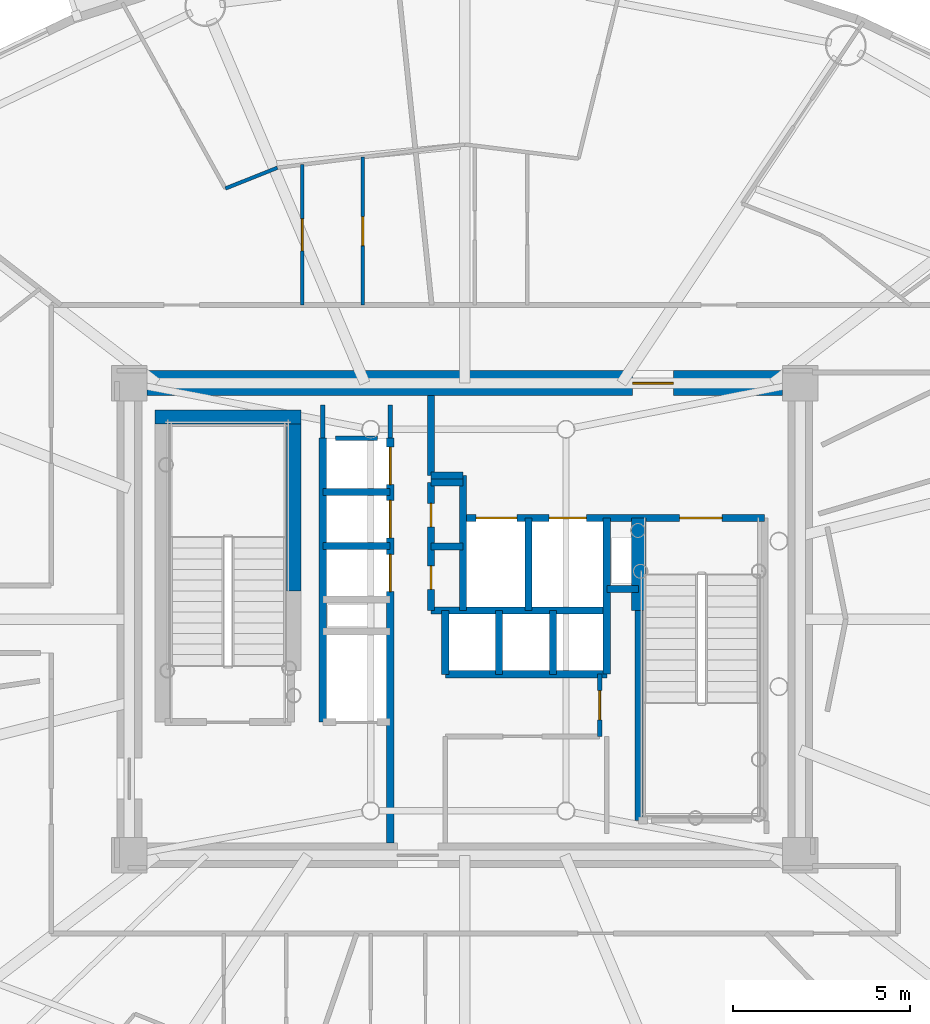
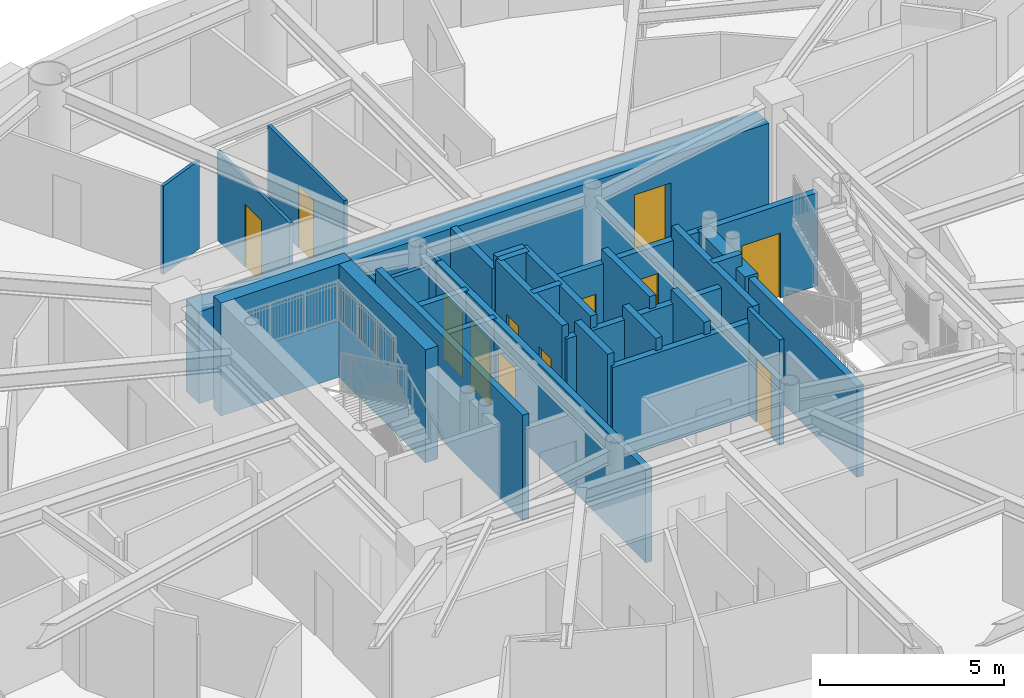
# One storey, part 8 of 18: 31 walls, 12 doors, 12 openings.
"""IFC4 building model written with IfcOpenShell, lengths in metres."""

from ifc_helpers import new_model, si_unit, direction, frame, frame_2d, origin, origin_2d, place, context, subcontext, project, spatial, rectangle, extrude, source, transform, mapped, material, layer, layer_set, type_object, element, fill, save


model = new_model("IFC4")

# Units and contexts
model_context = context("Model", 3, precision=1e-05, world=origin(), true_north=direction((0.0, 1.0)))
body_context = subcontext(model_context, "Body", "Model", "MODEL_VIEW")
ifc_project = project(units=[si_unit("LENGTHUNIT", "METRE"), si_unit("AREAUNIT", "SQUARE_METRE"), si_unit("VOLUMEUNIT", "CUBIC_METRE"), si_unit("PLANEANGLEUNIT", "RADIAN"), si_unit("MASSUNIT", "GRAM", prefix="KILO")], contexts=[model_context])

# Site, building, storey
site_placement = place(None, origin())
site = spatial("IfcSite", under=ifc_project, at=site_placement, CompositionType="ELEMENT")
building_placement = place(site_placement, origin())
building = spatial("IfcBuilding", under=site, at=building_placement, Name="Linh Dai School and Residence Tower", CompositionType="ELEMENT")
storey_placement = place(building_placement, frame((0.0, 0.0, 240.300048828125)))
storey = spatial("IfcBuildingStorey", under=building, at=storey_placement, Name="L59", CompositionType="ELEMENT", Elevation=240.300048828125)

# Wall, opening, door
ifc_material_1 = material(Name="Autoclaved Aerated Concrete Blockwork", Category="masonry")
ifc_layer_1 = layer(ifc_material_1, 0.135009765625)
ifc_layer_set_1 = layer_set([ifc_layer_1], Name="Autoclaved Aerated Concrete Blockwork")
wall_type_1 = type_object("IfcWallType", Name="IW-CORR-135-EI90", PredefinedType="PARTITIONING", material=ifc_layer_set_1)
wall_1_placement = place(storey_placement, frame((39.800048828125, 23.699951171875, 0.0), z_axis=(0.0, 0.0, 1.0), x_axis=(0.0, 1.0, 0.0)))
wall_1 = element("IfcWall", 1, at=wall_1_placement, inside=storey, type_object=wall_type_1, Name="L59 Interior Partition Wall 067", PredefinedType="PARTITIONING", context=body_context, shape_type="SweptSolid", body=[
    extrude(rectangle(XDim=1.75, YDim=0.135009765625, at=frame_2d((0.875, 0.0))), origin(), (0.0, 0.0, 1.0), 3.5),
])
opening_1_placement = place(wall_1_placement, frame((0.465087890625, 0.0, 0.0)))
opening_1 = element("IfcOpeningElement", 2, at=opening_1_placement, cuts=wall_1, Name="Opening D06", PredefinedType="OPENING", context=body_context, shape_type="SweptSolid", body=[
    extrude(rectangle(XDim=0.820068359375, YDim=2.10009765625, at=origin_2d()), frame((0.41015625, 0.07763671875, 1.050048828125), z_axis=(0.0, -1.0, 0.0), x_axis=(1.0, 0.0, 0.0)), (0.0, 0.0, 1.0), 0.155029296875),
])
ifc_material_2 = material(Name="Moisture-Resistant Timber Bathroom Door", Category="wood")
door_type_1 = type_object("IfcDoorType", Name="DR-WET-820x2100", OperationType="NOTDEFINED", PredefinedType="DOOR", material=ifc_material_2)
shared_shape_1 = source(origin(), body_context, "Body", "SweptSolid", [
    extrude(rectangle(XDim=0.820068359375, YDim=2.10009765625, at=origin_2d()), frame((0.41015625, 0.02490234375, 1.050048828125), z_axis=(0.0, -1.0, 0.0), x_axis=(1.0, 0.0, 0.0)), (0.0, 0.0, 1.0), 0.050048828125),
])
door_1_placement = place(opening_1_placement, origin())
door_1 = element("IfcDoor", 3, at=door_1_placement, inside=storey, type_object=door_type_1, Name="L59 Core Housekeeping Store Door", OperationType="SINGLE_SWING_LEFT", OverallHeight=2.10009765625, OverallWidth=0.820068359375, PredefinedType="DOOR", context=body_context, shape_type="MappedRepresentation", body=[
    mapped(shared_shape_1, transform((0.0, 0.0, 0.0), x_axis=(1.0, 0.0, 0.0), y_axis=(0.0, 1.0, 0.0), z_axis=(0.0, 0.0, 1.0), scale=1.0)),
])
fill(opening_1, door_1)

# Walls
wall_2_placement = place(storey_placement, frame((32.360107421875, 32.10009765625, 0.0), z_axis=(0.0, 0.0, 1.0), x_axis=(1.0, 0.0, 0.0)))
element("IfcWall", 4, at=wall_2_placement, inside=storey, type_object=wall_type_1, Name="L59 Interior Partition Wall 098", PredefinedType="PARTITIONING", context=body_context, shape_type="SweptSolid", body=[
    extrude(rectangle(XDim=1.179931640625, YDim=0.135009765625, at=frame_2d((0.58984375, 0.0))), origin(), (0.0, 0.0, 1.0), 3.0849609375),
])
wall_3_placement = place(storey_placement, frame((32.0, 33.0400390625, 0.0), z_axis=(0.0, 0.0, 1.0), x_axis=(0.0, -1.0, 0.0)))
element("IfcWall", 5, at=wall_3_placement, inside=storey, type_object=wall_type_1, Name="L59 Interior Partition Wall 100", PredefinedType="PARTITIONING", context=body_context, shape_type="SweptSolid", body=[
    extrude(rectangle(XDim=0.929931640625, YDim=0.135009765625, at=frame_2d((0.46484375, 0.0))), origin(), (0.0, 0.0, 1.0), 3.034912109375),
])
wall_4_placement = place(storey_placement, frame((33.89990234375, 32.110107421875, 0.0), z_axis=(0.0, 0.0, 1.0), x_axis=(0.0, 1.0, 0.0)))
element("IfcWall", 6, at=wall_4_placement, inside=storey, type_object=wall_type_1, Name="L59 Interior Partition Wall 102", PredefinedType="PARTITIONING", context=body_context, shape_type="SweptSolid", body=[
    extrude(rectangle(XDim=0.929931640625, YDim=0.135009765625, at=frame_2d((0.46484375, 0.0))), origin(), (0.0, 0.0, 1.0), 3.0849609375),
])
ifc_material_3 = material(Name="Concrete B45 (C35/45)", Category="concrete")
ifc_layer_2 = layer(ifc_material_3, 0.199951171875)
ifc_layer_set_2 = layer_set([ifc_layer_2], Name="Concrete B45 (C35/45)")
wall_type_2 = type_object("IfcWallType", Name="IW-SHAFT-200-EI120", PredefinedType="PARTITIONING", material=ifc_layer_set_2)
wall_5_placement = place(storey_placement, frame((32.0, 24.10009765625, 0.0), z_axis=(0.0, 0.0, 1.0), x_axis=(0.0, 1.0, 0.0)))
element("IfcWall", 7, at=wall_5_placement, inside=storey, type_object=wall_type_2, Name="L59 Interior Partition Wall 035", PredefinedType="PARTITIONING", context=body_context, shape_type="SweptSolid", body=[
    extrude(rectangle(XDim=8.0, YDim=0.199951171875, at=frame_2d((4.0, 0.0))), origin(), (0.0, 0.0, 1.0), 3.5),
])
for number, where, z_axis, x_axis, name in (
    (8, (32.0, 29.06005859375, 0.0), (0.0, 0.0, 1.0), (1.0, 0.0, 0.0), "L59 Interior Partition Wall 039"),
    (9, (32.0, 30.580078125, 0.0), (0.0, 0.0, 1.0), (1.0, 0.0, 0.0), "L59 Interior Partition Wall 040"),
):
    element("IfcWall", number, at=place(storey_placement, frame(where, z_axis=z_axis, x_axis=x_axis)), inside=storey, type_object=wall_type_2, Name=name, PredefinedType="PARTITIONING", context=body_context, shape_type="SweptSolid", body=[
        extrude(rectangle(XDim=1.89990234375, YDim=0.199951171875, at=frame_2d((0.949951171875, 0.0))), origin(), (0.0, 0.0, 1.0), 3.0849609375),
    ])

# Wall, openings, doors
wall_6_placement = place(storey_placement, frame((33.89990234375, 20.699951171875, 0.0), z_axis=(0.0, 0.0, 1.0), x_axis=(0.0, 1.0, 0.0)))
wall_6 = element("IfcWall", 10, at=wall_6_placement, inside=storey, type_object=wall_type_2, Name="L59 Interior Partition Wall 043", PredefinedType="PARTITIONING", context=body_context, shape_type="SweptSolid", body=[
    extrude(rectangle(XDim=11.400146484375, YDim=0.199951171875, at=frame_2d((5.7001953125, 0.0))), origin(), (0.0, 0.0, 1.0), 3.0849609375),
])
opening_2_placement = place(wall_6_placement, frame((7.080078125, 0.0, 0.0)))
opening_2 = element("IfcOpeningElement", 11, at=opening_2_placement, cuts=wall_6, Name="Opening LD-PL4", PredefinedType="OPENING", context=body_context, shape_type="SweptSolid", body=[
    extrude(rectangle(XDim=1.050048828125, YDim=2.14990234375, at=origin_2d()), frame((0.52490234375, 0.10986328125, 1.074951171875), z_axis=(0.0, -1.0, 0.0), x_axis=(1.0, 0.0, 0.0)), (0.0, 0.0, 1.0), 0.219970703125),
])
opening_3_placement = place(wall_6_placement, frame((8.594970703125, 0.0, 0.0)))
opening_3 = element("IfcOpeningElement", 12, at=opening_3_placement, cuts=wall_6, Name="Opening LD-PL5", PredefinedType="OPENING", context=body_context, shape_type="SweptSolid", body=[
    extrude(rectangle(XDim=1.050048828125, YDim=2.14990234375, at=origin_2d()), frame((0.52490234375, 0.10986328125, 1.074951171875), z_axis=(0.0, -1.0, 0.0), x_axis=(1.0, 0.0, 0.0)), (0.0, 0.0, 1.0), 0.219970703125),
])
opening_4_placement = place(wall_6_placement, frame((10.094970703125, 0.0, 0.0)))
opening_4 = element("IfcOpeningElement", 13, at=opening_4_placement, cuts=wall_6, Name="Opening LD-PL6", PredefinedType="OPENING", context=body_context, shape_type="SweptSolid", body=[
    extrude(rectangle(XDim=1.050048828125, YDim=2.14990234375, at=origin_2d()), frame((0.52490234375, 0.10986328125, 1.074951171875), z_axis=(0.0, -1.0, 0.0), x_axis=(1.0, 0.0, 0.0)), (0.0, 0.0, 1.0), 0.219970703125),
])
ifc_material_4 = material(Name="Brushed Stainless Steel Lift Landing Door", Category="steel")
door_type_2 = type_object("IfcDoorType", Name="DR-LD-PASS-1050x2150", OperationType="DOUBLE_DOOR_SLIDING", PredefinedType="USERDEFINED", material=ifc_material_4)
shared_shape_2 = source(origin(), body_context, "Body", "SweptSolid", [
    extrude(rectangle(XDim=1.050048828125, YDim=2.14990234375, at=origin_2d()), frame((0.52490234375, 0.02490234375, 1.074951171875), z_axis=(0.0, -1.0, 0.0), x_axis=(1.0, 0.0, 0.0)), (0.0, 0.0, 1.0), 0.050048828125),
])
door_2_placement = place(opening_2_placement, origin())
door_2 = element("IfcDoor", 14, at=door_2_placement, inside=storey, type_object=door_type_2, Name="L59 Lift PL4 Sliding Landing Door", ObjectType="LANDING DOOR", OperationType="DOUBLE_DOOR_SLIDING", OverallHeight=2.14990234375, OverallWidth=1.050048828125, PredefinedType="USERDEFINED", context=body_context, shape_type="MappedRepresentation", body=[
    mapped(shared_shape_2, transform((0.0, 0.0, 0.0), x_axis=(1.0, 0.0, 0.0), y_axis=(0.0, 1.0, 0.0), z_axis=(0.0, 0.0, 1.0), scale=1.0)),
])
fill(opening_2, door_2)
door_3_placement = place(opening_3_placement, origin())
door_3 = element("IfcDoor", 15, at=door_3_placement, inside=storey, type_object=door_type_2, Name="L59 Lift PL5 Sliding Landing Door", ObjectType="LANDING DOOR", OperationType="DOUBLE_DOOR_SLIDING", OverallHeight=2.14990234375, OverallWidth=1.050048828125, PredefinedType="USERDEFINED", context=body_context, shape_type="MappedRepresentation", body=[
    mapped(shared_shape_2, transform((0.0, 0.0, 0.0), x_axis=(1.0, 0.0, 0.0), y_axis=(0.0, 1.0, 0.0), z_axis=(0.0, 0.0, 1.0), scale=1.0)),
])
fill(opening_3, door_3)
door_4_placement = place(opening_4_placement, origin())
door_4 = element("IfcDoor", 16, at=door_4_placement, inside=storey, type_object=door_type_2, Name="L59 Lift PL6 Sliding Landing Door", ObjectType="LANDING DOOR", OperationType="DOUBLE_DOOR_SLIDING", OverallHeight=2.14990234375, OverallWidth=1.050048828125, PredefinedType="USERDEFINED", context=body_context, shape_type="MappedRepresentation", body=[
    mapped(shared_shape_2, transform((0.0, 0.0, 0.0), x_axis=(1.0, 0.0, 0.0), y_axis=(0.0, 1.0, 0.0), z_axis=(0.0, 0.0, 1.0), scale=1.0)),
])
fill(opening_4, door_4)

wall_7_placement = place(storey_placement, frame((35.050048828125, 27.25, 0.0), z_axis=(0.0, 0.0, 1.0), x_axis=(0.0, 1.0, 0.0)))
wall_7 = element("IfcWall", 17, at=wall_7_placement, inside=storey, type_object=wall_type_2, Name="L59 Interior Partition Wall 046", PredefinedType="PARTITIONING", context=body_context, shape_type="SweptSolid", body=[
    extrude(rectangle(XDim=3.60009765625, YDim=0.199951171875, at=frame_2d((1.800048828125, 0.0))), origin(), (0.0, 0.0, 1.0), 3.5),
])
opening_5_placement = place(wall_7_placement, frame((0.590087890625, 0.0, 0.0)))
opening_5 = element("IfcOpeningElement", 18, at=opening_5_placement, cuts=wall_7, Name="Opening AD1", PredefinedType="OPENING", context=body_context, shape_type="SweptSolid", body=[
    extrude(rectangle(XDim=0.659912109375, YDim=2.050048828125, at=origin_2d()), frame((0.330078125, 0.10986328125, 1.02490234375), z_axis=(0.0, -1.0, 0.0), x_axis=(1.0, 0.0, 0.0)), (0.0, 0.0, 1.0), 0.219970703125),
])
opening_6_placement = place(wall_7_placement, frame((2.35009765625, 0.0, 0.0)))
opening_6 = element("IfcOpeningElement", 19, at=opening_6_placement, cuts=wall_7, Name="Opening AD1", PredefinedType="OPENING", context=body_context, shape_type="SweptSolid", body=[
    extrude(rectangle(XDim=0.659912109375, YDim=2.050048828125, at=origin_2d()), frame((0.330078125, 0.10986328125, 1.02490234375), z_axis=(0.0, -1.0, 0.0), x_axis=(1.0, 0.0, 0.0)), (0.0, 0.0, 1.0), 0.219970703125),
])
ifc_material_5 = material(Name="Fire-Rated Steel Riser Access Door", Category="steel")
door_type_3 = type_object("IfcDoorType", Name="DR-ACC-660x2050-FD90S", OperationType="NOTDEFINED", PredefinedType="USERDEFINED", material=ifc_material_5)
shared_shape_3 = source(origin(), body_context, "Body", "SweptSolid", [
    extrude(rectangle(XDim=0.659912109375, YDim=2.050048828125, at=origin_2d()), frame((0.330078125, 0.02490234375, 1.02490234375), z_axis=(0.0, -1.0, 0.0), x_axis=(1.0, 0.0, 0.0)), (0.0, 0.0, 1.0), 0.050048828125),
])
door_5_placement = place(opening_5_placement, origin())
door_5 = element("IfcDoor", 20, at=door_5_placement, inside=storey, type_object=door_type_3, Name="L59 Telecom and Data Riser Access Door", ObjectType="ACCESS DOOR", OperationType="SINGLE_SWING_RIGHT", OverallHeight=2.050048828125, OverallWidth=0.659912109375, PredefinedType="USERDEFINED", context=body_context, shape_type="MappedRepresentation", body=[
    mapped(shared_shape_3, transform((0.0, 0.0, 0.0), x_axis=(1.0, 0.0, 0.0), y_axis=(0.0, 1.0, 0.0), z_axis=(0.0, 0.0, 1.0), scale=1.0)),
])
fill(opening_5, door_5)
door_6_placement = place(opening_6_placement, origin())
door_6 = element("IfcDoor", 21, at=door_6_placement, inside=storey, type_object=door_type_3, Name="L59 Mechanical and Plumbing Riser Access Door", ObjectType="ACCESS DOOR", OperationType="SINGLE_SWING_LEFT", OverallHeight=2.050048828125, OverallWidth=0.659912109375, PredefinedType="USERDEFINED", context=body_context, shape_type="MappedRepresentation", body=[
    mapped(shared_shape_3, transform((0.0, 0.0, 0.0), x_axis=(1.0, 0.0, 0.0), y_axis=(0.0, 1.0, 0.0), z_axis=(0.0, 0.0, 1.0), scale=1.0)),
])
fill(opening_6, door_6)

# Walls
wall_8_placement = place(storey_placement, frame((35.050048828125, 27.25, 0.0), z_axis=(0.0, 0.0, 1.0), x_axis=(1.0, 0.0, 0.0)))
element("IfcWall", 22, at=wall_8_placement, inside=storey, type_object=wall_type_2, Name="L59 Interior Partition Wall 047", PredefinedType="PARTITIONING", context=body_context, shape_type="SweptSolid", body=[
    extrude(rectangle(XDim=4.949951171875, YDim=0.199951171875, at=frame_2d((2.47509765625, 0.0))), origin(), (0.0, 0.0, 1.0), 3.0849609375),
])
for number, where, z_axis, x_axis, name in (
    (23, (35.050048828125, 29.050048828125, 0.0), (0.0, 0.0, 1.0), (1.0, 0.0, 0.0), "L59 Interior Partition Wall 048"),
    (24, (35.050048828125, 30.85009765625, 0.0), (0.0, 0.0, 1.0), (1.0, 0.0, 0.0), "L59 Interior Partition Wall 049"),
):
    element("IfcWall", number, at=place(storey_placement, frame(where, z_axis=z_axis, x_axis=x_axis)), inside=storey, type_object=wall_type_2, Name=name, PredefinedType="PARTITIONING", context=body_context, shape_type="SweptSolid", body=[
        extrude(rectangle(XDim=0.89990234375, YDim=0.199951171875, at=frame_2d((0.449951171875, 0.0))), origin(), (0.0, 0.0, 1.0), 3.5),
    ])
wall_9_placement = place(storey_placement, frame((35.050048828125, 31.050048828125, 0.0), z_axis=(0.0, 0.0, 1.0), x_axis=(0.0, 1.0, 0.0)))
element("IfcWall", 25, at=wall_9_placement, inside=storey, type_object=wall_type_2, Name="L59 Interior Partition Wall 050", PredefinedType="PARTITIONING", context=body_context, shape_type="SweptSolid", body=[
    extrude(rectangle(XDim=2.25, YDim=0.199951171875, at=frame_2d((1.125, 0.0))), origin(), (0.0, 0.0, 1.0), 3.0849609375),
])
wall_10_placement = place(storey_placement, frame((35.050048828125, 31.050048828125, 0.0), z_axis=(0.0, 0.0, 1.0), x_axis=(1.0, 0.0, 0.0)))
element("IfcWall", 26, at=wall_10_placement, inside=storey, type_object=wall_type_2, Name="L59 Interior Partition Wall 051", PredefinedType="PARTITIONING", context=body_context, shape_type="SweptSolid", body=[
    extrude(rectangle(XDim=0.89990234375, YDim=0.199951171875, at=frame_2d((0.449951171875, 0.0))), origin(), (0.0, 0.0, 1.0), 3.5),
])
wall_11_placement = place(storey_placement, frame((35.449951171875, 25.449951171875, 0.0), z_axis=(0.0, 0.0, 1.0), x_axis=(0.0, 1.0, 0.0)))
element("IfcWall", 27, at=wall_11_placement, inside=storey, type_object=wall_type_2, Name="L59 Interior Partition Wall 054", PredefinedType="PARTITIONING", context=body_context, shape_type="SweptSolid", body=[
    extrude(rectangle(XDim=1.800048828125, YDim=0.199951171875, at=frame_2d((0.89990234375, 0.0))), origin(), (0.0, 0.0, 1.0), 3.5),
])
wall_12_placement = place(storey_placement, frame((35.449951171875, 25.449951171875, 0.0), z_axis=(0.0, 0.0, 1.0), x_axis=(1.0, 0.0, 0.0)))
element("IfcWall", 28, at=wall_12_placement, inside=storey, type_object=wall_type_2, Name="L59 Interior Partition Wall 055", PredefinedType="PARTITIONING", context=body_context, shape_type="SweptSolid", body=[
    extrude(rectangle(XDim=4.550048828125, YDim=0.199951171875, at=frame_2d((2.27490234375, 0.0))), origin(), (0.0, 0.0, 1.0), 3.0849609375),
])
wall_13_placement = place(storey_placement, frame((35.949951171875, 27.25, 0.0), z_axis=(0.0, 0.0, 1.0), x_axis=(0.0, 1.0, 0.0)))
element("IfcWall", 29, at=wall_13_placement, inside=storey, type_object=wall_type_2, Name="L59 Interior Partition Wall 056", PredefinedType="PARTITIONING", context=body_context, shape_type="SweptSolid", body=[
    extrude(rectangle(XDim=3.800048828125, YDim=0.199951171875, at=frame_2d((1.89990234375, 0.0))), origin(), (0.0, 0.0, 1.0), 3.5),
])

# Wall, openings, doors
wall_14_placement = place(storey_placement, frame((35.949951171875, 29.85009765625, 0.0), z_axis=(0.0, 0.0, 1.0), x_axis=(1.0, 0.0, 0.0)))
wall_14 = element("IfcWall", 30, at=wall_14_placement, inside=storey, type_object=wall_type_2, Name="L59 Interior Partition Wall 057", PredefinedType="PARTITIONING", context=body_context, shape_type="SweptSolid", body=[
    extrude(rectangle(XDim=8.489990234375, YDim=0.199951171875, at=frame_2d((4.2451171875, 0.0))), origin(), (0.0, 0.0, 1.0), 3.0849609375),
])
opening_7_placement = place(wall_14_placement, frame((6.10009765625, 0.0, 0.0)))
opening_7 = element("IfcOpeningElement", 31, at=opening_7_placement, cuts=wall_14, Name="Opening D01", PredefinedType="OPENING", context=body_context, shape_type="SweptSolid", body=[
    extrude(rectangle(XDim=1.199951171875, YDim=2.14990234375, at=origin_2d()), frame((0.60009765625, 0.10986328125, 1.074951171875), z_axis=(0.0, -1.0, 0.0), x_axis=(1.0, 0.0, 0.0)), (0.0, 0.0, 1.0), 0.219970703125),
])
opening_8_placement = place(wall_14_placement, frame((0.3701171875, 0.0, 0.0)))
opening_8 = element("IfcOpeningElement", 32, at=opening_8_placement, cuts=wall_14, Name="Opening LD-FF1", PredefinedType="OPENING", context=body_context, shape_type="SweptSolid", body=[
    extrude(rectangle(XDim=1.14990234375, YDim=2.14990234375, at=origin_2d()), frame((0.574951171875, 0.10986328125, 1.074951171875), z_axis=(0.0, -1.0, 0.0), x_axis=(1.0, 0.0, 0.0)), (0.0, 0.0, 1.0), 0.219970703125),
])
opening_9_placement = place(wall_14_placement, frame((2.425048828125, 0.0, 0.0)))
opening_9 = element("IfcOpeningElement", 33, at=opening_9_placement, cuts=wall_14, Name="Opening LD-SV1", PredefinedType="OPENING", context=body_context, shape_type="SweptSolid", body=[
    extrude(rectangle(XDim=1.050048828125, YDim=2.14990234375, at=origin_2d()), frame((0.52490234375, 0.10986328125, 1.074951171875), z_axis=(0.0, -1.0, 0.0), x_axis=(1.0, 0.0, 0.0)), (0.0, 0.0, 1.0), 0.219970703125),
])
ifc_material_6 = material(Name="Fire-Rated Steel Door Leaf", Category="steel")
door_type_4 = type_object("IfcDoorType", Name="DR-STAIR-1200x2150-FD90S", OperationType="NOTDEFINED", PredefinedType="DOOR", material=ifc_material_6)
shared_shape_4 = source(origin(), body_context, "Body", "SweptSolid", [
    extrude(rectangle(XDim=1.199951171875, YDim=2.14990234375, at=origin_2d()), frame((0.60009765625, 0.02490234375, 1.074951171875), z_axis=(0.0, -1.0, 0.0), x_axis=(1.0, 0.0, 0.0)), (0.0, 0.0, 1.0), 0.050048828125),
])
door_7_placement = place(opening_7_placement, origin())
door_7 = element("IfcDoor", 34, at=door_7_placement, inside=storey, type_object=door_type_4, Name="L59 Core Smokeproof Exit Stair ST2 Door", OperationType="SINGLE_SWING_LEFT", OverallHeight=2.14990234375, OverallWidth=1.199951171875, PredefinedType="DOOR", context=body_context, shape_type="MappedRepresentation", body=[
    mapped(shared_shape_4, transform((0.0, 0.0, 0.0), x_axis=(1.0, 0.0, 0.0), y_axis=(0.0, 1.0, 0.0), z_axis=(0.0, 0.0, 1.0), scale=1.0)),
])
fill(opening_7, door_7)
ifc_material_7 = material(Name="Fire-Rated Stainless Steel Firefighting Lift Door", Category="steel")
door_type_5 = type_object("IfcDoorType", Name="DR-LD-FF-1150x2150-FD120", OperationType="DOUBLE_DOOR_SLIDING", PredefinedType="USERDEFINED", material=ifc_material_7)
shared_shape_5 = source(origin(), body_context, "Body", "SweptSolid", [
    extrude(rectangle(XDim=1.14990234375, YDim=2.14990234375, at=origin_2d()), frame((0.574951171875, 0.02490234375, 1.074951171875), z_axis=(0.0, -1.0, 0.0), x_axis=(1.0, 0.0, 0.0)), (0.0, 0.0, 1.0), 0.050048828125),
])
door_8_placement = place(opening_8_placement, origin())
door_8 = element("IfcDoor", 35, at=door_8_placement, inside=storey, type_object=door_type_5, Name="L59 Lift FF1 Sliding Landing Door", ObjectType="LANDING DOOR", OperationType="DOUBLE_DOOR_SLIDING", OverallHeight=2.14990234375, OverallWidth=1.14990234375, PredefinedType="USERDEFINED", context=body_context, shape_type="MappedRepresentation", body=[
    mapped(shared_shape_5, transform((0.0, 0.0, 0.0), x_axis=(1.0, 0.0, 0.0), y_axis=(0.0, 1.0, 0.0), z_axis=(0.0, 0.0, 1.0), scale=1.0)),
])
fill(opening_8, door_8)
door_9_placement = place(opening_9_placement, origin())
door_9 = element("IfcDoor", 36, at=door_9_placement, inside=storey, type_object=door_type_2, Name="L59 Lift SV1 Sliding Landing Door", ObjectType="LANDING DOOR", OperationType="DOUBLE_DOOR_SLIDING", OverallHeight=2.14990234375, OverallWidth=1.050048828125, PredefinedType="USERDEFINED", context=body_context, shape_type="MappedRepresentation", body=[
    mapped(shared_shape_2, transform((0.0, 0.0, 0.0), x_axis=(1.0, 0.0, 0.0), y_axis=(0.0, 1.0, 0.0), z_axis=(0.0, 0.0, 1.0), scale=1.0)),
])
fill(opening_9, door_9)

# Walls
wall_15_placement = place(storey_placement, frame((36.9599609375, 25.449951171875, 0.0), z_axis=(0.0, 0.0, 1.0), x_axis=(0.0, 1.0, 0.0)))
element("IfcWall", 37, at=wall_15_placement, inside=storey, type_object=wall_type_2, Name="L59 Interior Partition Wall 062", PredefinedType="PARTITIONING", context=body_context, shape_type="SweptSolid", body=[
    extrude(rectangle(XDim=1.800048828125, YDim=0.199951171875, at=frame_2d((0.89990234375, 0.0))), origin(), (0.0, 0.0, 1.0), 3.5),
])
wall_16_placement = place(storey_placement, frame((37.800048828125, 27.25, 0.0), z_axis=(0.0, 0.0, 1.0), x_axis=(0.0, 1.0, 0.0)))
element("IfcWall", 38, at=wall_16_placement, inside=storey, type_object=wall_type_2, Name="L59 Interior Partition Wall 064", PredefinedType="PARTITIONING", context=body_context, shape_type="SweptSolid", body=[
    extrude(rectangle(XDim=2.60009765625, YDim=0.199951171875, at=frame_2d((1.300048828125, 0.0))), origin(), (0.0, 0.0, 1.0), 3.5),
])
wall_17_placement = place(storey_placement, frame((38.47998046875, 25.449951171875, 0.0), z_axis=(0.0, 0.0, 1.0), x_axis=(0.0, 1.0, 0.0)))
element("IfcWall", 39, at=wall_17_placement, inside=storey, type_object=wall_type_2, Name="L59 Interior Partition Wall 065", PredefinedType="PARTITIONING", context=body_context, shape_type="SweptSolid", body=[
    extrude(rectangle(XDim=1.800048828125, YDim=0.199951171875, at=frame_2d((0.89990234375, 0.0))), origin(), (0.0, 0.0, 1.0), 3.5),
])
wall_18_placement = place(storey_placement, frame((40.0, 25.449951171875, 0.0), z_axis=(0.0, 0.0, 1.0), x_axis=(0.0, 1.0, 0.0)))
element("IfcWall", 40, at=wall_18_placement, inside=storey, type_object=wall_type_2, Name="L59 Interior Partition Wall 068", PredefinedType="PARTITIONING", context=body_context, shape_type="SweptSolid", body=[
    extrude(rectangle(XDim=4.400146484375, YDim=0.199951171875, at=frame_2d((2.2001953125, 0.0))), origin(), (0.0, 0.0, 1.0), 3.5),
])
wall_19_placement = place(storey_placement, frame((40.0, 27.85009765625, 0.0), z_axis=(0.0, 0.0, 1.0), x_axis=(1.0, 0.0, 0.0)))
element("IfcWall", 41, at=wall_19_placement, inside=storey, type_object=wall_type_2, Name="L59 Interior Partition Wall 069", PredefinedType="PARTITIONING", context=body_context, shape_type="SweptSolid", body=[
    extrude(rectangle(XDim=0.89990234375, YDim=0.199951171875, at=frame_2d((0.449951171875, 0.0))), origin(), (0.0, 0.0, 1.0), 3.5),
])
wall_20_placement = place(storey_placement, frame((40.89990234375, 21.330078125, 0.0), z_axis=(0.0, 0.0, 1.0), x_axis=(0.0, 1.0, 0.0)))
element("IfcWall", 42, at=wall_20_placement, inside=storey, type_object=wall_type_2, Name="L59 Interior Partition Wall 070", PredefinedType="PARTITIONING", context=body_context, shape_type="SweptSolid", body=[
    extrude(rectangle(XDim=5.909912109375, YDim=0.199951171875, at=frame_2d((2.955078125, 0.0))), origin(), (0.0, 0.0, 1.0), 3.034912109375),
])
ifc_material_8 = material(Name="Gypsum Plasterboard Acoustic Stud Partition", Category="masonry")
ifc_layer_3 = layer(ifc_material_8, 0.10009765625)
ifc_layer_set_3 = layer_set([ifc_layer_3], Name="Gypsum Plasterboard Acoustic Stud Partition")
wall_type_3 = type_object("IfcWallType", Name="IW-UNIT-100", PredefinedType="PARTITIONING", material=ifc_layer_set_3)
wall_21_placement = place(storey_placement, frame((29.257080078125, 39.134521484375, 0.0), z_axis=(0.0, 0.0, 1.0), x_axis=(0.928796620339, 0.370589851515, 0.0)))
element("IfcWall", 43, at=wall_21_placement, inside=storey, type_object=wall_type_3, Name="L59 Interior Partition Wall 028", PredefinedType="PARTITIONING", context=body_context, shape_type="SweptSolid", body=[
    extrude(rectangle(XDim=1.5771484375, YDim=0.10009765625, at=frame_2d((0.78857421875, 0.0))), origin(), (0.0, 0.0, 1.0), 2.93505859375),
])

# Wall, opening, door
wall_22_placement = place(storey_placement, frame((31.42041015625, 35.85009765625, 0.0), z_axis=(0.0, 0.0, 1.0), x_axis=(0.0, 1.0, 0.0)))
wall_22 = element("IfcWall", 44, at=wall_22_placement, inside=storey, type_object=wall_type_3, Name="L59 Interior Partition Wall 034", PredefinedType="PARTITIONING", context=body_context, shape_type="SweptSolid", body=[
    extrude(rectangle(XDim=3.95556640625, YDim=0.10009765625, at=frame_2d((1.977783203125, 0.0))), origin(), (0.0, 0.0, 1.0), 2.93505859375),
])
opening_10_placement = place(wall_22_placement, frame((1.52783203125, 0.0, 0.0)))
opening_10 = element("IfcOpeningElement", 45, at=opening_10_placement, cuts=wall_22, Name="Opening D05", PredefinedType="OPENING", context=body_context, shape_type="SweptSolid", body=[
    extrude(rectangle(XDim=0.89990234375, YDim=2.10009765625, at=origin_2d()), frame((0.449951171875, 0.06005859375, 1.050048828125), z_axis=(0.0, -1.0, 0.0), x_axis=(1.0, 0.0, 0.0)), (0.0, 0.0, 1.0), 0.1201171875),
])
ifc_material_9 = material(Name="Engineered Timber Internal Door", Category="wood")
door_type_6 = type_object("IfcDoorType", Name="DR-INT-900x2100", OperationType="NOTDEFINED", PredefinedType="DOOR", material=ifc_material_9)
shared_shape_6 = source(origin(), body_context, "Body", "SweptSolid", [
    extrude(rectangle(XDim=0.89990234375, YDim=2.10009765625, at=origin_2d()), frame((0.449951171875, 0.02490234375, 1.050048828125), z_axis=(0.0, -1.0, 0.0), x_axis=(1.0, 0.0, 0.0)), (0.0, 0.0, 1.0), 0.050048828125),
])
door_10_placement = place(opening_10_placement, origin())
door_10 = element("IfcDoor", 46, at=door_10_placement, inside=storey, type_object=door_type_6, Name="L59 Apartment U5901 Kitchen Door", OperationType="SINGLE_SWING_RIGHT", OverallHeight=2.10009765625, OverallWidth=0.89990234375, PredefinedType="DOOR", context=body_context, shape_type="MappedRepresentation", body=[
    mapped(shared_shape_6, transform((0.0, 0.0, 0.0), x_axis=(1.0, 0.0, 0.0), y_axis=(0.0, 1.0, 0.0), z_axis=(0.0, 0.0, 1.0), scale=1.0)),
])
fill(opening_10, door_10)

wall_23_placement = place(storey_placement, frame((33.128662109375, 35.85009765625, 0.0), z_axis=(0.0, 0.0, 1.0), x_axis=(0.0, 1.0, 0.0)))
wall_23 = element("IfcWall", 47, at=wall_23_placement, inside=storey, type_object=wall_type_3, Name="L59 Interior Partition Wall 041", PredefinedType="PARTITIONING", context=body_context, shape_type="SweptSolid", body=[
    extrude(rectangle(XDim=4.167236328125, YDim=0.10009765625, at=frame_2d((2.08349609375, 0.0))), origin(), (0.0, 0.0, 1.0), 3.0849609375),
])
opening_11_placement = place(wall_23_placement, frame((1.673583984375, 0.0, 0.0)))
opening_11 = element("IfcOpeningElement", 48, at=opening_11_placement, cuts=wall_23, Name="Opening D06", PredefinedType="OPENING", context=body_context, shape_type="SweptSolid", body=[
    extrude(rectangle(XDim=0.820068359375, YDim=2.10009765625, at=origin_2d()), frame((0.41015625, 0.06005859375, 1.050048828125), z_axis=(0.0, -1.0, 0.0), x_axis=(1.0, 0.0, 0.0)), (0.0, 0.0, 1.0), 0.1201171875),
])
door_11_placement = place(opening_11_placement, origin())
door_11 = element("IfcDoor", 49, at=door_11_placement, inside=storey, type_object=door_type_1, Name="L59 Apartment U5901 Bathroom 1 Door", OperationType="SINGLE_SWING_LEFT", OverallHeight=2.10009765625, OverallWidth=0.820068359375, PredefinedType="DOOR", context=body_context, shape_type="MappedRepresentation", body=[
    mapped(shared_shape_1, transform((0.0, 0.0, 0.0), x_axis=(1.0, 0.0, 0.0), y_axis=(0.0, 1.0, 0.0), z_axis=(0.0, 0.0, 1.0), scale=1.0)),
])
fill(opening_11, door_11)

# Walls
ifc_layer_4 = layer(ifc_material_3, 0.39990234375)
ifc_layer_set_4 = layer_set([ifc_layer_4], Name="Concrete B45 (C35/45)")
wall_type_4 = type_object("IfcWallType", Name="WL-CORE400", PredefinedType="SHEAR", material=ifc_layer_set_4)
wall_24_placement = place(storey_placement, frame((31.179931640625, 27.800048828125, 0.0), z_axis=(0.0, 0.0, 1.0), x_axis=(0.0, 1.0, 0.0)))
element("IfcWall", 50, at=wall_24_placement, inside=storey, type_object=wall_type_4, Name="L59 Core Stair ST1 Bearing Wall E", PredefinedType="SHEAR", context=body_context, shape_type="SweptSolid", body=[
    extrude(rectangle(XDim=4.89990234375, YDim=0.39990234375, at=frame_2d((2.449951171875, 0.0))), origin(), (0.0, 0.0, 1.0), 3.75),
])
wall_25_placement = place(storey_placement, frame((27.280029296875, 32.699951171875, 0.0), z_axis=(0.0, 0.0, 1.0), x_axis=(1.0, 0.0, 0.0)))
element("IfcWall", 51, at=wall_25_placement, inside=storey, type_object=wall_type_4, Name="L59 Core Stair ST1 Bearing Wall N", PredefinedType="SHEAR", context=body_context, shape_type="SweptSolid", body=[
    extrude(rectangle(XDim=4.099853515625, YDim=0.39990234375, at=frame_2d((2.0498046875, 0.0))), origin(), (0.0, 0.0, 1.0), 3.75),
])
wall_26_placement = place(storey_placement, frame((40.89990234375, 27.25, 0.0), z_axis=(0.0, 0.0, 1.0), x_axis=(0.0, 1.0, 0.0)))
element("IfcWall", 52, at=wall_26_placement, inside=storey, type_object=wall_type_4, Name="L59 Internal Core Shear Wall IE", PredefinedType="SHEAR", context=body_context, shape_type="SweptSolid", body=[
    extrude(rectangle(XDim=2.60009765625, YDim=0.39990234375, at=frame_2d((1.300048828125, 0.0))), origin(), (0.0, 0.0, 1.0), 3.099853515625),
])

# Wall, opening, door
ifc_layer_5 = layer(ifc_material_3, 0.699951171875)
ifc_layer_set_5 = layer_set([ifc_layer_5], Name="Concrete B45 (C35/45)")
wall_type_5 = type_object("IfcWallType", Name="WL-CORE700", PredefinedType="SHEAR", material=ifc_layer_set_5)
wall_27_placement = place(storey_placement, frame((27.050048828125, 33.64990234375, 0.0), z_axis=(0.0, 0.0, 1.0), x_axis=(1.0, 0.0, 0.0)))
wall_27 = element("IfcWall", 53, at=wall_27_placement, inside=storey, type_object=wall_type_5, Name="L59 Central Core Shear Wall N", PredefinedType="SHEAR", context=body_context, shape_type="SweptSolid", body=[
    extrude(rectangle(XDim=17.89990234375, YDim=0.699951171875, at=frame_2d((8.949951171875, 0.0))), origin(), (0.0, 0.0, 1.0), 3.050048828125),
])
opening_12_placement = place(wall_27_placement, frame((13.675048828125, 0.0, 0.0)))
opening_12 = element("IfcOpeningElement", 54, at=opening_12_placement, cuts=wall_27, Name="Opening D02", PredefinedType="OPENING", context=body_context, shape_type="SweptSolid", body=[
    extrude(rectangle(XDim=1.14990234375, YDim=2.14990234375, at=origin_2d()), frame((0.574951171875, 0.35986328125, 1.074951171875), z_axis=(0.0, -1.0, 0.0), x_axis=(1.0, 0.0, 0.0)), (0.0, 0.0, 1.0), 0.719970703125),
])
ifc_material_10 = material(Name="Fire-Rated Glazed Steel Lobby Door", Category="steel")
door_type_7 = type_object("IfcDoorType", Name="DR-LOBBY-1150x2150-FD90S", OperationType="NOTDEFINED", PredefinedType="DOOR", material=ifc_material_10)
shared_shape_7 = source(origin(), body_context, "Body", "SweptSolid", [
    extrude(rectangle(XDim=1.14990234375, YDim=2.14990234375, at=origin_2d()), frame((0.574951171875, 0.02490234375, 1.074951171875), z_axis=(0.0, -1.0, 0.0), x_axis=(1.0, 0.0, 0.0)), (0.0, 0.0, 1.0), 0.050048828125),
])
door_12_placement = place(opening_12_placement, origin())
door_12 = element("IfcDoor", 55, at=door_12_placement, inside=storey, type_object=door_type_7, Name="L59 Firefighting Lobby Door", OperationType="SINGLE_SWING_RIGHT", OverallHeight=2.14990234375, OverallWidth=1.14990234375, PredefinedType="DOOR", context=body_context, shape_type="MappedRepresentation", body=[
    mapped(shared_shape_7, transform((0.0, 0.0, 0.0), x_axis=(1.0, 0.0, 0.0), y_axis=(0.0, 1.0, 0.0), z_axis=(0.0, 0.0, 1.0), scale=1.0)),
])
fill(opening_12, door_12)

save(model, "model.ifc")
